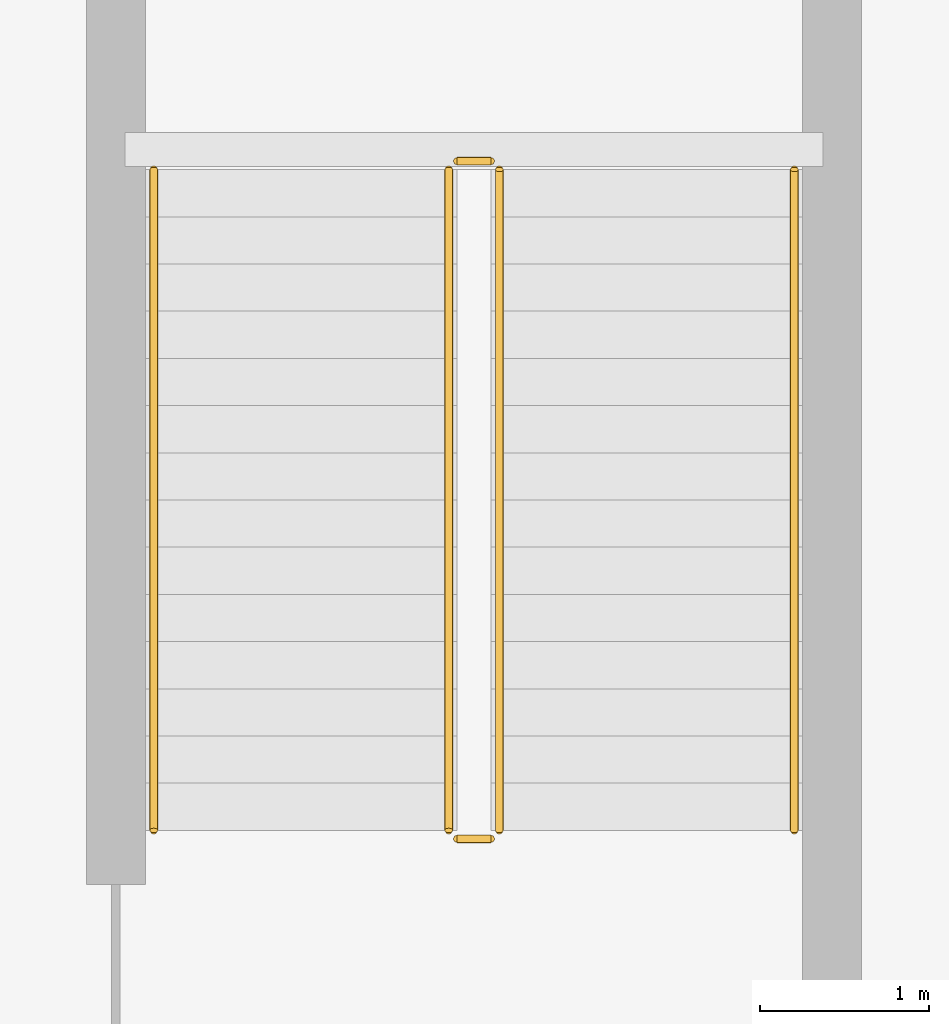
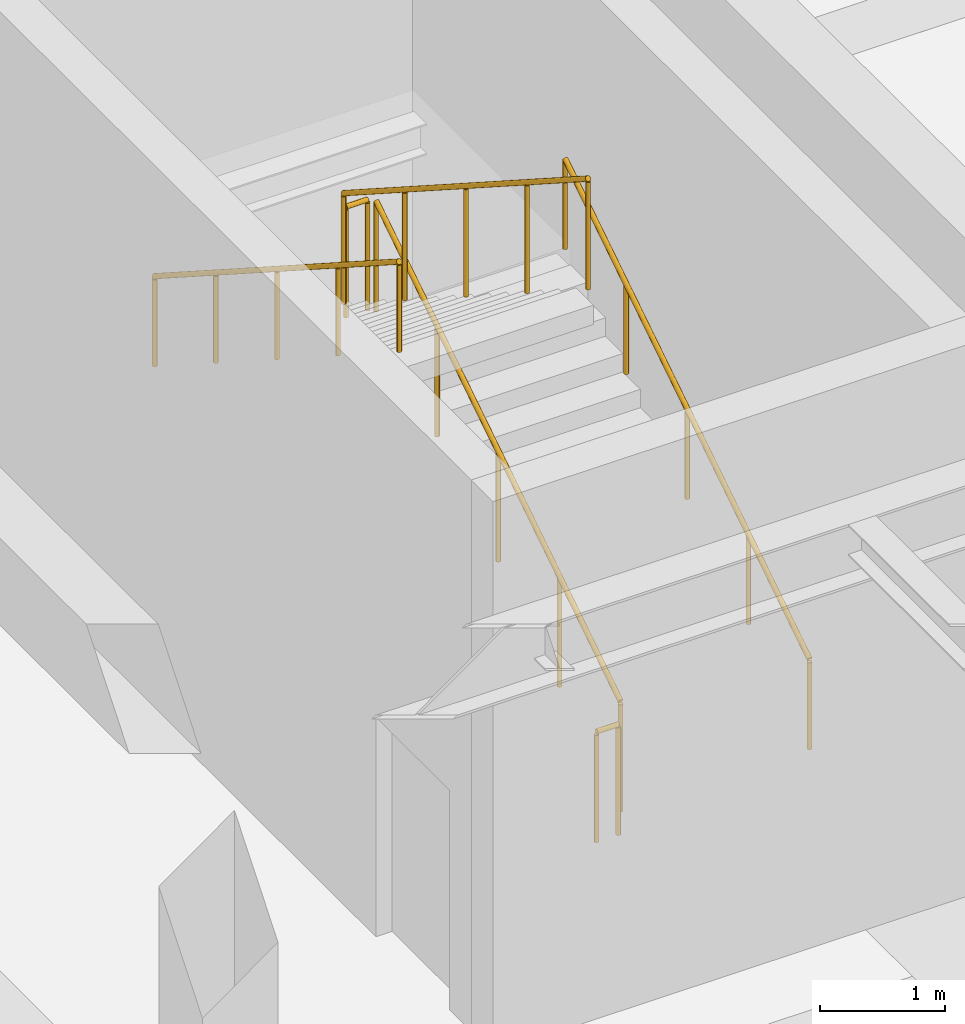
# One storey, part 68 of 69: 6 railings.
"""IFC4 building model written with IfcOpenShell, lengths in metres."""

import ifcopenshell
import ifcopenshell.guid

model = None  # the IFC model being written
_history = None  # IfcOwnerHistory: only IFC2X3 demands one
_inside = {}  # id of a spatial element -> (the spatial element, [elements in it])
_under = {}  # id of a project, library or spatial element -> (it, [spatial elements below it])
_declared = {}  # id of a project -> (the project, [libraries it declares])
_typed = {}  # id of a type object -> (the type object, [elements of that type])
_made_of = {}  # id of a material, layer set ... -> (it, [elements and type objects made of it])


def new_model(schema):
    """Start an empty IFC model of exactly this schema.

    Asked for "IFC4X3", IfcOpenShell would pick the latest addendum, in which some entities
    have other attributes; the version numbers below select the first issue.
    IFC2X3 requires an IfcOwnerHistory on every rooted entity: one is made here for all.
    """
    global model, _history
    if schema == "IFC4X3":
        model = ifcopenshell.file(schema_version=(4, 3, 0, 0))
    else:
        model = ifcopenshell.file(schema=schema)
    _inside.clear()
    _under.clear()
    _declared.clear()
    _typed.clear()
    _made_of.clear()
    _history = None
    if model.schema == "IFC2X3":
        org = make("IfcOrganization", Name="unknown")
        user = make(
            "IfcPersonAndOrganization",
            ThePerson=make("IfcPerson", FamilyName="unknown"),
            TheOrganization=org,
        )
        app = make(
            "IfcApplication",
            ApplicationDeveloper=org,
            Version="unknown",
            ApplicationFullName="unknown",
            ApplicationIdentifier="unknown",
        )
        _history = make(
            "IfcOwnerHistory",
            OwningUser=user,
            OwningApplication=app,
            ChangeAction="ADDED",
            CreationDate=0,
        )
    return model


def make(cls, **values):
    """One entity of the class cls with the attributes given. An attribute that is None is left unset."""
    return model.create_entity(
        cls, **{name: value for name, value in values.items() if value is not None}
    )


def rooted(cls, **values):
    """An entity with a GlobalId (a new one), such as an element, a storey or a relation."""
    return make(cls, GlobalId=ifcopenshell.guid.new(), OwnerHistory=_history, **values)


def si_unit(unit_type, name, prefix=None):
    """IfcSIUnit, for example si_unit("LENGTHUNIT", "METRE", prefix="MILLI")."""
    return make("IfcSIUnit", UnitType=unit_type, Prefix=prefix, Name=name)


def assignment(units):
    """IfcUnitAssignment: the units of a project."""
    return None if units is None else make("IfcUnitAssignment", Units=units)


def point(xyz):
    """IfcCartesianPoint."""
    return None if xyz is None else make("IfcCartesianPoint", Coordinates=xyz)


def direction(xyz):
    """IfcDirection."""
    return None if xyz is None else make("IfcDirection", DirectionRatios=xyz)


def frame(location, z_axis=None, x_axis=None):
    """IfcAxis2Placement3D, a coordinate frame: its origin and axes. An axis left out is left unset."""
    return make(
        "IfcAxis2Placement3D",
        Location=point(location),
        Axis=direction(z_axis),
        RefDirection=direction(x_axis),
    )


def frame_2d(location, x_axis=None):
    """IfcAxis2Placement2D, a coordinate frame in the plane: its origin and x axis."""
    return make(
        "IfcAxis2Placement2D", Location=point(location), RefDirection=direction(x_axis)
    )


def origin():
    """The frame at (0, 0, 0) with its axes left unset."""
    return frame((0.0, 0.0, 0.0))


def origin_2d():
    """The frame at (0, 0) in the plane with its x axis left unset."""
    return frame_2d((0.0, 0.0))


def place(relative_to, where):
    """IfcLocalPlacement: puts the frame where relative to a parent placement (None: the world)."""
    return make(
        "IfcLocalPlacement", PlacementRelTo=relative_to, RelativePlacement=where
    )


def context(
    kind, dimensions, precision=None, world=None, true_north=None, identifier=None
):
    """IfcGeometricRepresentationContext, for example the 3D "Model" context."""
    return make(
        "IfcGeometricRepresentationContext",
        ContextIdentifier=identifier,
        ContextType=kind,
        CoordinateSpaceDimension=dimensions,
        Precision=precision,
        WorldCoordinateSystem=world,
        TrueNorth=true_north,
    )


def subcontext(parent, identifier, kind, view, scale=None):
    """IfcGeometricRepresentationSubContext, for example "Body" below "Model"."""
    return make(
        "IfcGeometricRepresentationSubContext",
        ContextIdentifier=identifier,
        ContextType=kind,
        ParentContext=parent,
        TargetScale=scale,
        TargetView=view,
    )


def project(units=None, contexts=None):
    """IfcProject with its units and contexts."""
    return rooted(
        "IfcProject",
        Name="project",
        RepresentationContexts=contexts,
        UnitsInContext=assignment(units),
    )


def spatial(cls, under=None, at=None, **own):
    """A site, building, storey or space (cls), placed at a placement, below another one or the project."""
    s = rooted(cls, ObjectPlacement=at, **own)
    if under is not None:
        _under.setdefault(under.id(), (under, []))[1].append(s)
    return s


def profile(cls, at=None, kind="AREA", **sizes):
    """A parametric profile (cls). Its sizes go by their IFC names, for example OverallWidth=200.0."""
    return make(cls, ProfileType=kind, Position=at, **sizes)


def circle(**sizes):
    """IfcCircleProfileDef."""
    return profile("IfcCircleProfileDef", **sizes)


def extrude(swept, where, along, depth):
    """IfcExtrudedAreaSolid: the profile swept, set in the frame where, extruded along a direction by depth."""
    return make(
        "IfcExtrudedAreaSolid",
        SweptArea=swept,
        Position=where,
        ExtrudedDirection=direction(along),
        Depth=depth,
    )


def shape(context_of_items, identifier, shape_type, items):
    """IfcShapeRepresentation: the items that make up one representation, for example the "Body"."""
    return make(
        "IfcShapeRepresentation",
        ContextOfItems=context_of_items,
        RepresentationIdentifier=identifier,
        RepresentationType=shape_type,
        Items=items,
    )


def material(Name=None, Category=None):
    """IfcMaterial."""
    return make("IfcMaterial", Name=Name, Category=Category)


def made_of(thing, what):
    """Note that an element or type object is made of a material, layer set ...; save() writes the relation."""
    if what is not None:
        _made_of.setdefault(what.id(), (what, []))[1].append(thing)
    return thing


def type_object(cls, material=None, **own):
    """A type object (cls), such as IfcWallType, which elements share."""
    return made_of(rooted(cls, **own), material)


def element(
    cls,
    number,
    at=None,
    inside=None,
    cuts=None,
    type_object=None,
    material=None,
    context=None,
    identifier="Body",
    shape_type=None,
    held_by="IfcProductDefinitionShape",
    body=None,
    shapes=None,
    **own,
):
    """One element of the class cls, such as IfcWall. Its Tag is "e" and its number.

    at: its placement. inside: the storey or other place that contains it. cuts: it is an
    opening in that element (IfcRelVoidsElement). A single representation is given by context,
    identifier, shape_type and body (its items); several are given by shapes. held_by: the class
    of the entity that holds the representations. save() writes the other relations.
    """
    e = rooted(cls, Tag="e%d" % number, ObjectPlacement=at, **own)
    if body is not None:
        shapes = [shape(context, identifier, shape_type, body)]
    if shapes is not None:
        e.Representation = make(held_by, Representations=shapes)
    if inside is not None:
        _inside.setdefault(inside.id(), (inside, []))[1].append(e)
    if cuts is not None:
        rooted(
            "IfcRelVoidsElement", RelatingBuildingElement=cuts, RelatedOpeningElement=e
        )
    if type_object is not None:
        _typed.setdefault(type_object.id(), (type_object, []))[1].append(e)
    return made_of(e, material)


def aggregate(whole, parts):
    """IfcRelAggregates: a whole, such as a stair, and the parts it consists of."""
    return rooted("IfcRelAggregates", RelatingObject=whole, RelatedObjects=parts)


def save(model, path):
    """Write the relations noted so far, then the file.

    IfcRelAggregates (storeys below a building ...), IfcRelContainedInSpatialStructure (elements
    in a storey), IfcRelDefinesByType, IfcRelAssociatesMaterial and IfcRelDeclares: one each for
    every whole, place, type object, material and project.
    """
    for whole, parts in _under.values():
        aggregate(whole, parts)
    for where, things in _inside.values():
        rooted(
            "IfcRelContainedInSpatialStructure",
            RelatedElements=things,
            RelatingStructure=where,
        )
    for kind, things in _typed.values():
        rooted("IfcRelDefinesByType", RelatedObjects=things, RelatingType=kind)
    for what, things in _made_of.values():
        rooted("IfcRelAssociatesMaterial", RelatedObjects=things, RelatingMaterial=what)
    for by, libraries in _declared.values():
        rooted("IfcRelDeclares", RelatingContext=by, RelatedDefinitions=libraries)
    model.write(path)


model = new_model("IFC4")

# Units and contexts
model_context = context("Model", 3, precision=1e-05, world=origin(), true_north=direction((0.0, 1.0)))
body_context = subcontext(model_context, "Body", "Model", "MODEL_VIEW")
ifc_project = project(units=[si_unit("LENGTHUNIT", "METRE"), si_unit("AREAUNIT", "SQUARE_METRE"), si_unit("VOLUMEUNIT", "CUBIC_METRE"), si_unit("PLANEANGLEUNIT", "RADIAN"), si_unit("MASSUNIT", "GRAM", prefix="KILO")], contexts=[model_context])

# Site, building, storey
site_placement = place(None, origin())
site = spatial("IfcSite", under=ifc_project, at=site_placement, CompositionType="ELEMENT")
building_placement = place(site_placement, origin())
building = spatial("IfcBuilding", under=site, at=building_placement, Name="Vaelkrest Opera House", CompositionType="ELEMENT")
storey_placement = place(building_placement, frame((0.0, 0.0, -5.39990234375)))
storey = spatial("IfcBuildingStorey", under=building, at=storey_placement, Name="B1", CompositionType="ELEMENT", Elevation=-5.39990234375)

# Railings
ifc_material = material(Name="Dark bronze anodized aluminium", Category="aluminium")
railing_type_1 = type_object("IfcRailingType", Name="GR02", PredefinedType="GUARDRAIL", material=ifc_material)
railing_1_placement = place(storey_placement, frame((74.39990234375, -16.550048828125, 0.179931640625)))
element("IfcRailing", 1, at=railing_1_placement, inside=storey, type_object=railing_type_1, Name="B1 ST10 stair guard 1", PredefinedType="GUARDRAIL", context=body_context, shape_type="SweptSolid", body=[
    extrude(circle(Radius=0.02392578125, at=origin_2d()), frame((0.0, 0.0, 1.076171875), z_axis=(0.0, 0.841186985886, 0.540744352514), x_axis=(-1.0, 0.0, 0.0)), (0.0, 0.0, 1.0), 4.660400390625),
    extrude(circle(Radius=0.02099609375, at=origin_2d()), origin(), (0.0, 0.0, 1.0), 1.052001953125),
    extrude(circle(Radius=0.02099609375, at=origin_2d()), frame((0.0, 0.97998046875, 0.6298828125)), (0.0, 0.0, 1.0), 1.052001953125),
    extrude(circle(Radius=0.02099609375, at=origin_2d()), frame((0.0, 1.9599609375, 1.260009765625)), (0.0, 0.0, 1.0), 1.052001953125),
    extrude(circle(Radius=0.02099609375, at=origin_2d()), frame((0.0, 2.940185546875, 1.89013671875)), (0.0, 0.0, 1.0), 1.052001953125),
    extrude(circle(Radius=0.02099609375, at=origin_2d()), frame((0.0, 3.920166015625, 2.52001953125)), (0.0, 0.0, 1.0), 1.052001953125),
])
railing_2_placement = place(storey_placement, frame((74.35009765625, -12.580078125, 2.699951171875)))
element("IfcRailing", 2, at=railing_2_placement, inside=storey, type_object=railing_type_1, Name="B1 ST10 stair guard 2", PredefinedType="GUARDRAIL", context=body_context, shape_type="SweptSolid", body=[
    extrude(circle(Radius=0.02392578125, at=origin_2d()), frame((0.0, 0.0, 1.076171875), z_axis=(-1.0, 0.0, 0.0), x_axis=(0.0, -1.0, 0.0)), (0.0, 0.0, 1.0), 0.2001953125),
    extrude(circle(Radius=0.02099609375, at=origin_2d()), origin(), (0.0, 0.0, 1.0), 1.052001953125),
    extrude(circle(Radius=0.02099609375, at=origin_2d()), frame((-0.2001953125, 0.0, 0.0)), (0.0, 0.0, 1.0), 1.052001953125),
])
railing_3_placement = place(storey_placement, frame((74.10009765625, -12.6298828125, 2.8798828125)))
element("IfcRailing", 3, at=railing_3_placement, inside=storey, type_object=railing_type_1, Name="B1 ST10 stair guard 3", PredefinedType="GUARDRAIL", context=body_context, shape_type="SweptSolid", body=[
    extrude(circle(Radius=0.02392578125, at=origin_2d()), frame((0.0, 0.0, 1.076171875), z_axis=(0.0, -0.841186985886, 0.540744352514), x_axis=(1.0, 0.0, 0.0)), (0.0, 0.0, 1.0), 4.660400390625),
    extrude(circle(Radius=0.02099609375, at=origin_2d()), origin(), (0.0, 0.0, 1.0), 1.052001953125),
    extrude(circle(Radius=0.02099609375, at=origin_2d()), frame((0.0, -0.97998046875, 0.6298828125)), (0.0, 0.0, 1.0), 1.052001953125),
    extrude(circle(Radius=0.02099609375, at=origin_2d()), frame((0.0, -1.9599609375, 1.260009765625)), (0.0, 0.0, 1.0), 1.052001953125),
    extrude(circle(Radius=0.02099609375, at=origin_2d()), frame((0.0, -2.940185546875, 1.89013671875)), (0.0, 0.0, 1.0), 1.052001953125),
    extrude(circle(Radius=0.02099609375, at=origin_2d()), frame((0.0, -3.920166015625, 2.52001953125)), (0.0, 0.0, 1.0), 1.052001953125),
])
railing_4_placement = place(storey_placement, frame((74.35009765625, -16.60009765625, 0.0)))
element("IfcRailing", 4, at=railing_4_placement, inside=storey, type_object=railing_type_1, Name="B1 ST10 stair guard 4", PredefinedType="GUARDRAIL", context=body_context, shape_type="SweptSolid", body=[
    extrude(circle(Radius=0.02392578125, at=origin_2d()), frame((0.0, 0.0, 1.076171875), z_axis=(-1.0, 0.0, 0.0), x_axis=(0.0, -1.0, 0.0)), (0.0, 0.0, 1.0), 0.2001953125),
    extrude(circle(Radius=0.02099609375, at=origin_2d()), origin(), (0.0, 0.0, 1.0), 1.052001953125),
    extrude(circle(Radius=0.02099609375, at=origin_2d()), frame((-0.2001953125, 0.0, 0.0)), (0.0, 0.0, 1.0), 1.052001953125),
])
railing_type_2 = type_object("IfcRailingType", Name="HR02", PredefinedType="HANDRAIL", material=ifc_material)
railing_5_placement = place(storey_placement, frame((76.14990234375, -16.550048828125, 0.179931640625)))
element("IfcRailing", 5, at=railing_5_placement, inside=storey, type_object=railing_type_2, Name="B1 ST10 stair handrail 1", PredefinedType="HANDRAIL", context=body_context, shape_type="SweptSolid", body=[
    extrude(circle(Radius=0.02392578125, at=origin_2d()), frame((0.0, 0.0, 0.8759765625), z_axis=(0.0, 0.841186985886, 0.540744352514), x_axis=(-1.0, 0.0, 0.0)), (0.0, 0.0, 1.0), 4.660400390625),
    extrude(circle(Radius=0.02099609375, at=origin_2d()), origin(), (0.0, 0.0, 1.0), 0.851806640625),
    extrude(circle(Radius=0.02099609375, at=origin_2d()), frame((0.0, 0.97998046875, 0.6298828125)), (0.0, 0.0, 1.0), 0.851806640625),
    extrude(circle(Radius=0.02099609375, at=origin_2d()), frame((0.0, 1.9599609375, 1.260009765625)), (0.0, 0.0, 1.0), 0.851806640625),
    extrude(circle(Radius=0.02099609375, at=origin_2d()), frame((0.0, 2.940185546875, 1.89013671875)), (0.0, 0.0, 1.0), 0.851806640625),
    extrude(circle(Radius=0.02099609375, at=origin_2d()), frame((0.0, 3.920166015625, 2.52001953125)), (0.0, 0.0, 1.0), 0.851806640625),
])
railing_6_placement = place(storey_placement, frame((72.35009765625, -12.6298828125, 2.8798828125)))
element("IfcRailing", 6, at=railing_6_placement, inside=storey, type_object=railing_type_2, Name="B1 ST10 stair handrail 2", PredefinedType="HANDRAIL", context=body_context, shape_type="SweptSolid", body=[
    extrude(circle(Radius=0.02392578125, at=origin_2d()), frame((0.0, 0.0, 0.8759765625), z_axis=(0.0, -0.841186985886, 0.540744352514), x_axis=(1.0, 0.0, 0.0)), (0.0, 0.0, 1.0), 4.660400390625),
    extrude(circle(Radius=0.02099609375, at=origin_2d()), origin(), (0.0, 0.0, 1.0), 0.851806640625),
    extrude(circle(Radius=0.02099609375, at=origin_2d()), frame((0.0, -0.97998046875, 0.6298828125)), (0.0, 0.0, 1.0), 0.851806640625),
    extrude(circle(Radius=0.02099609375, at=origin_2d()), frame((0.0, -1.9599609375, 1.260009765625)), (0.0, 0.0, 1.0), 0.851806640625),
    extrude(circle(Radius=0.02099609375, at=origin_2d()), frame((0.0, -2.940185546875, 1.89013671875)), (0.0, 0.0, 1.0), 0.851806640625),
    extrude(circle(Radius=0.02099609375, at=origin_2d()), frame((0.0, -3.920166015625, 2.52001953125)), (0.0, 0.0, 1.0), 0.851806640625),
])

save(model, "model.ifc")
